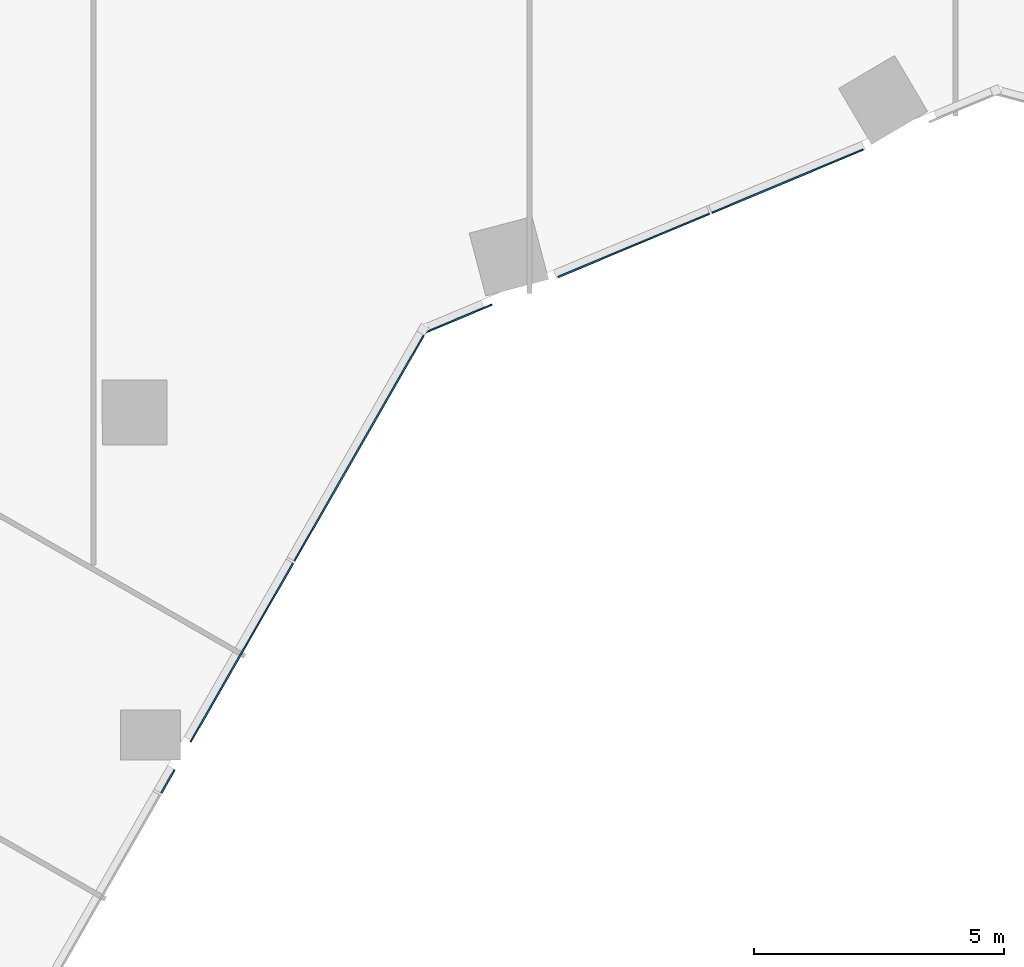
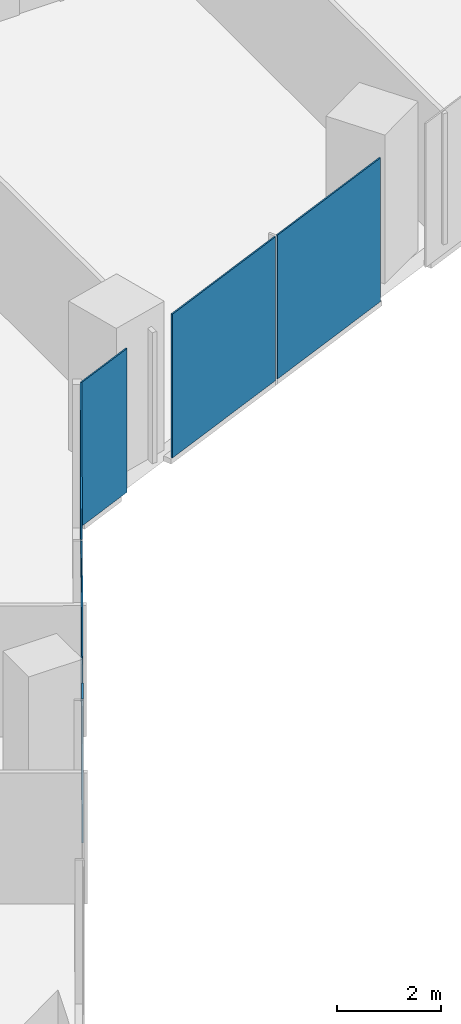
# One storey, part 19 of 34: 6 plates, 2 elements without a shape of their own.
"""IFC4 building model written with IfcOpenShell, lengths in metres."""

from ifc_helpers import new_model, si_unit, direction, frame, origin, origin_2d, place, context, subcontext, project, spatial, rectangle, extrude, material, layer, layer_set, type_object, element, aggregate, save


model = new_model("IFC4")

# Units and contexts
model_context = context("Model", 3, precision=1e-05, world=origin(), true_north=direction((0.0, 1.0)))
body_context = subcontext(model_context, "Body", "Model", "MODEL_VIEW")
ifc_project = project(units=[si_unit("LENGTHUNIT", "METRE"), si_unit("AREAUNIT", "SQUARE_METRE"), si_unit("VOLUMEUNIT", "CUBIC_METRE"), si_unit("PLANEANGLEUNIT", "RADIAN"), si_unit("MASSUNIT", "GRAM", prefix="KILO")], contexts=[model_context])

# Site, building, storey
site_placement = place(None, origin())
site = spatial("IfcSite", under=ifc_project, at=site_placement, CompositionType="ELEMENT")
building_placement = place(site_placement, origin())
building = spatial("IfcBuilding", under=site, at=building_placement, Name="Orlundy Tower", CompositionType="ELEMENT")
storey_placement = place(building_placement, frame((0.0, 0.0, 109.199951171875)))
storey = spatial("IfcBuildingStorey", under=building, at=storey_placement, Name="L27", CompositionType="ELEMENT", Elevation=109.199951171875)

# Curtain wall, plates
ifc_material_1 = material(Name="Aluminium bronze anodised", Category="aluminium")
curtain_wall_type = type_object("IfcCurtainWallType", Name="CW1 wall", PredefinedType="NOTDEFINED", material=ifc_material_1)
curtain_wall_1_placement = place(storey_placement, origin())
curtain_wall_1 = element("IfcCurtainWall", 1, at=curtain_wall_1_placement, inside=storey, type_object=curtain_wall_type, Name="CW1 run 01", PredefinedType="NOTDEFINED")
ifc_material_2 = material(Name="Tinted glass", Category="glass")
ifc_layer = layer(ifc_material_2, 0.031982421875)
ifc_layer_set = layer_set([ifc_layer], Name="CW1 glass panel 32")
plate_type = type_object("IfcPlateType", Name="CW1 glass panel 32", PredefinedType="CURTAIN_PANEL", material=ifc_layer_set)
plate_1_placement = place(storey_placement, frame((13.16162109375, -27.1923828125, -0.27978515625), z_axis=(0.0, 0.0, 1.0), x_axis=(-0.922759105019, -0.385377262048, 0.0)))
plate_1 = element("IfcPlate", 2, at=plate_1_placement, type_object=plate_type, Name="CW1 panel", PredefinedType="CURTAIN_PANEL", context=body_context, shape_type="SweptSolid", body=[
    extrude(rectangle(XDim=3.2822265625, YDim=0.031982421875, at=origin_2d()), origin(), (0.0, 0.0, 1.0), 3.3798828125),
])
plate_2_placement = place(storey_placement, frame((10.0869140625, -28.476318359375, -0.27978515625), z_axis=(0.0, 0.0, 1.0), x_axis=(-0.922759105019, -0.385377262048, 0.0)))
plate_2 = element("IfcPlate", 3, at=plate_2_placement, type_object=plate_type, Name="CW1 panel", PredefinedType="CURTAIN_PANEL", context=body_context, shape_type="SweptSolid", body=[
    extrude(rectangle(XDim=3.28173828125, YDim=0.031982421875, at=origin_2d()), origin(), (0.0, 0.0, 1.0), 3.3798828125),
])
plate_3_placement = place(storey_placement, frame((6.581298828125, -29.9404296875, -0.27978515625), z_axis=(0.0, 0.0, 1.0), x_axis=(-0.922759105019, -0.385377262048, 0.0)))
plate_3 = element("IfcPlate", 4, at=plate_3_placement, type_object=plate_type, Name="CW1 panel", PredefinedType="CURTAIN_PANEL", context=body_context, shape_type="SweptSolid", body=[
    extrude(rectangle(XDim=1.445068359375, YDim=0.031982421875, at=origin_2d()), origin(), (0.0, 0.0, 1.0), 3.3798828125),
])
aggregate(curtain_wall_1, [plate_1, plate_2, plate_3])

curtain_wall_2_placement = place(storey_placement, origin())
curtain_wall_2 = element("IfcCurtainWall", 5, at=curtain_wall_2_placement, inside=storey, type_object=curtain_wall_type, Name="CW1 run 02", PredefinedType="NOTDEFINED")
plate_4_placement = place(storey_placement, frame((4.602294921875, -32.50732421875, -0.27978515625), z_axis=(0.0, 0.0, 1.0), x_axis=(-0.497473280125, -0.867479299789, 0.0)))
plate_4 = element("IfcPlate", 6, at=plate_4_placement, type_object=plate_type, Name="CW1 panel", PredefinedType="CURTAIN_PANEL", context=body_context, shape_type="SweptSolid", body=[
    extrude(rectangle(XDim=5.27587890625, YDim=0.031982421875, at=origin_2d()), origin(), (0.0, 0.0, 1.0), 3.3798828125),
])
plate_5_placement = place(storey_placement, frame((2.238525390625, -36.629150390625, -0.27978515625), z_axis=(0.0, 0.0, 1.0), x_axis=(-0.497473280125, -0.867479299789, 0.0)))
plate_5 = element("IfcPlate", 7, at=plate_5_placement, type_object=plate_type, Name="CW1 panel", PredefinedType="CURTAIN_PANEL", context=body_context, shape_type="SweptSolid", body=[
    extrude(rectangle(XDim=4.126953125, YDim=0.031982421875, at=origin_2d()), origin(), (0.0, 0.0, 1.0), 3.3798828125),
])
plate_6_placement = place(storey_placement, frame((0.75830078125, -39.210205078125, -0.27978515625), z_axis=(0.0, 0.0, 1.0), x_axis=(-0.497473280125, -0.867479299789, 0.0)))
plate_6 = element("IfcPlate", 8, at=plate_6_placement, type_object=plate_type, Name="CW1 panel", PredefinedType="CURTAIN_PANEL", context=body_context, shape_type="SweptSolid", body=[
    extrude(rectangle(XDim=0.535400390625, YDim=0.031982421875, at=origin_2d()), origin(), (0.0, 0.0, 1.0), 3.3798828125),
])
aggregate(curtain_wall_2, [plate_4, plate_5, plate_6])

save(model, "model.ifc")
